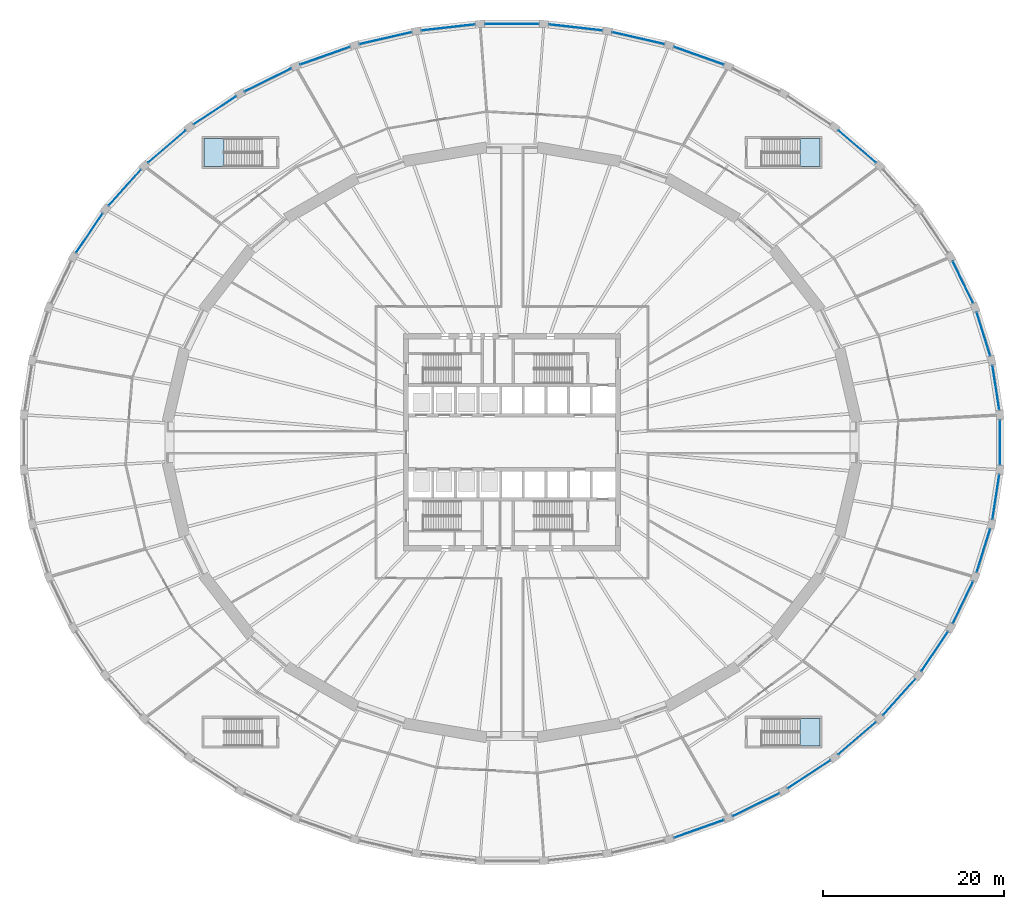
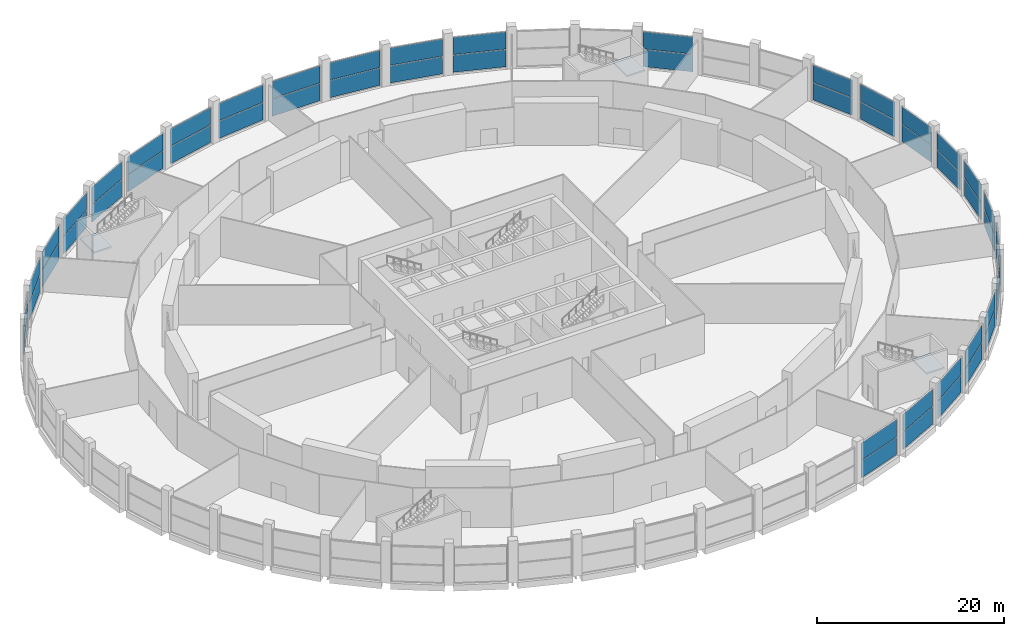
# One storey, part 18 of 29: 52 plates, 3 slabs, 29 elements without a shape of their own.
"""IFC4 building model written with IfcOpenShell, lengths in metres."""

from ifc_helpers import new_model, si_unit, direction, frame, origin, origin_2d, place, context, subcontext, project, spatial, polyline, rectangle, outline, extrude, material, layer, layer_set, type_object, element, aggregate, save


model = new_model("IFC4")

# Units and contexts
model_context = context("Model", 3, precision=1e-05, world=origin(), true_north=direction((0.0, 1.0)))
body_context = subcontext(model_context, "Body", "Model", "MODEL_VIEW")
ifc_project = project(units=[si_unit("LENGTHUNIT", "METRE"), si_unit("AREAUNIT", "SQUARE_METRE"), si_unit("VOLUMEUNIT", "CUBIC_METRE"), si_unit("PLANEANGLEUNIT", "RADIAN"), si_unit("MASSUNIT", "GRAM", prefix="KILO")], contexts=[model_context])

# Site, building, storey
site_placement = place(None, origin())
site = spatial("IfcSite", under=ifc_project, at=site_placement, CompositionType="ELEMENT")
building_placement = place(site_placement, origin())
building = spatial("IfcBuilding", under=site, at=building_placement, Name="Halqa Exchange Tower", CompositionType="ELEMENT")
storey_placement = place(building_placement, frame((0.0, 0.0, 12.5)))
storey = spatial("IfcBuildingStorey", under=building, at=storey_placement, Name="L02", CompositionType="ELEMENT", Elevation=12.5)

# Curtain wall, plates
ifc_material_1 = material(Name="Anodised aluminium and clear glass", Category="aluminium")
curtain_wall_type = type_object("IfcCurtainWallType", Name="Exchange hall glazing", PredefinedType="NOTDEFINED", material=ifc_material_1)
curtain_wall_1_placement = place(storey_placement, origin())
curtain_wall_1 = element("IfcCurtainWall", 1, at=curtain_wall_1_placement, inside=storey, type_object=curtain_wall_type, Name="Exchange hall glazing run P1", PredefinedType="NOTDEFINED")
ifc_material_2 = material(Name="Clear glass", Category="glass")
ifc_layer_1 = layer(ifc_material_2, 0.035888671875)
ifc_layer_set_1 = layer_set([ifc_layer_1], Name="Clear glass")
plate_type = type_object("IfcPlateType", Name="Laminated clear glass panel 36", PredefinedType="CURTAIN_PANEL", material=ifc_layer_set_1)
plate_1_placement = place(storey_placement, frame((53.42333984375, 6.030517578125, 0.06982421875), z_axis=(0.0, 0.0, 1.0), x_axis=(-0.151766957898, 0.988416304241, 0.0)))
plate_1 = element("IfcPlate", 2, at=plate_1_placement, type_object=plate_type, Name="P1 panel 1.1", PredefinedType="CURTAIN_PANEL", context=body_context, shape_type="SweptSolid", body=[
    extrude(rectangle(XDim=4.934814453125, YDim=0.035888671875, at=origin_2d()), origin(), (0.0, 0.0, 1.0), 2.2451171875),
])
plate_2_placement = place(storey_placement, frame((53.42333984375, 6.030517578125, 2.385009765625), z_axis=(0.0, 0.0, 1.0), x_axis=(-0.151766957898, 0.988416304241, 0.0)))
plate_2 = element("IfcPlate", 3, at=plate_2_placement, type_object=plate_type, Name="P1 panel 1.2", PredefinedType="CURTAIN_PANEL", context=body_context, shape_type="SweptSolid", body=[
    extrude(rectangle(XDim=4.934814453125, YDim=0.035888671875, at=origin_2d()), origin(), (0.0, 0.0, 1.0), 2.2451171875),
])
aggregate(curtain_wall_1, [plate_1, plate_2])

curtain_wall_2_placement = place(storey_placement, origin())
curtain_wall_2 = element("IfcCurtainWall", 4, at=curtain_wall_2_placement, inside=storey, type_object=curtain_wall_type, Name="Exchange hall glazing run P2", PredefinedType="NOTDEFINED")
plate_3_placement = place(storey_placement, frame((52.04833984375, 11.957763671875, 0.06982421875), z_axis=(0.0, 0.0, 1.0), x_axis=(-0.298302746613, 0.95447130463, 0.0)))
plate_3 = element("IfcPlate", 5, at=plate_3_placement, type_object=plate_type, Name="P2 panel 1.1", PredefinedType="CURTAIN_PANEL", context=body_context, shape_type="SweptSolid", body=[
    extrude(rectangle(XDim=4.989013671875, YDim=0.035888671875, at=origin_2d()), origin(), (0.0, 0.0, 1.0), 2.2451171875),
])
plate_4_placement = place(storey_placement, frame((52.04833984375, 11.957763671875, 2.385009765625), z_axis=(0.0, 0.0, 1.0), x_axis=(-0.298302746613, 0.95447130463, 0.0)))
plate_4 = element("IfcPlate", 6, at=plate_4_placement, type_object=plate_type, Name="P2 panel 1.2", PredefinedType="CURTAIN_PANEL", context=body_context, shape_type="SweptSolid", body=[
    extrude(rectangle(XDim=4.989013671875, YDim=0.035888671875, at=origin_2d()), origin(), (0.0, 0.0, 1.0), 2.2451171875),
])
aggregate(curtain_wall_2, [plate_3, plate_4])

curtain_wall_3_placement = place(storey_placement, origin())
curtain_wall_3 = element("IfcCurtainWall", 7, at=curtain_wall_3_placement, inside=storey, type_object=curtain_wall_type, Name="Exchange hall glazing run P3", PredefinedType="NOTDEFINED")
plate_5_placement = place(storey_placement, frame((49.78271484375, 17.680419921875, 0.06982421875), z_axis=(0.0, 0.0, 1.0), x_axis=(-0.434989864727, 0.90043534892, 0.0)))
plate_5 = element("IfcPlate", 8, at=plate_5_placement, type_object=plate_type, Name="P3 panel 1.1", PredefinedType="CURTAIN_PANEL", context=body_context, shape_type="SweptSolid", body=[
    extrude(rectangle(XDim=5.07421875, YDim=0.035888671875, at=origin_2d()), origin(), (0.0, 0.0, 1.0), 2.2451171875),
])
plate_6_placement = place(storey_placement, frame((49.78271484375, 17.680419921875, 2.385009765625), z_axis=(0.0, 0.0, 1.0), x_axis=(-0.434989864727, 0.90043534892, 0.0)))
plate_6 = element("IfcPlate", 9, at=plate_6_placement, type_object=plate_type, Name="P3 panel 1.2", PredefinedType="CURTAIN_PANEL", context=body_context, shape_type="SweptSolid", body=[
    extrude(rectangle(XDim=5.07421875, YDim=0.035888671875, at=origin_2d()), origin(), (0.0, 0.0, 1.0), 2.2451171875),
])
aggregate(curtain_wall_3, [plate_5, plate_6])

curtain_wall_4_placement = place(storey_placement, origin())
curtain_wall_4 = element("IfcCurtainWall", 10, at=curtain_wall_4_placement, inside=storey, type_object=curtain_wall_type, Name="Exchange hall glazing run P6", PredefinedType="NOTDEFINED")
plate_7_placement = place(storey_placement, frame((38.10205078125, 32.6689453125, 0.06982421875), z_axis=(0.0, 0.0, 1.0), x_axis=(-0.759154109704, 0.650910929175, 0.0)))
plate_7 = element("IfcPlate", 11, at=plate_7_placement, type_object=plate_type, Name="P6 panel 1.1", PredefinedType="CURTAIN_PANEL", context=body_context, shape_type="SweptSolid", body=[
    extrude(rectangle(XDim=5.439208984375, YDim=0.035888671875, at=origin_2d()), origin(), (0.0, 0.0, 1.0), 2.2451171875),
])
plate_8_placement = place(storey_placement, frame((38.10205078125, 32.6689453125, 2.385009765625), z_axis=(0.0, 0.0, 1.0), x_axis=(-0.759154109704, 0.650910929175, 0.0)))
plate_8 = element("IfcPlate", 12, at=plate_8_placement, type_object=plate_type, Name="P6 panel 1.2", PredefinedType="CURTAIN_PANEL", context=body_context, shape_type="SweptSolid", body=[
    extrude(rectangle(XDim=5.439208984375, YDim=0.035888671875, at=origin_2d()), origin(), (0.0, 0.0, 1.0), 2.2451171875),
])
aggregate(curtain_wall_4, [plate_7, plate_8])

curtain_wall_5_placement = place(storey_placement, origin())
curtain_wall_5 = element("IfcCurtainWall", 13, at=curtain_wall_5_placement, inside=storey, type_object=curtain_wall_type, Name="Exchange hall glazing run P9", PredefinedType="NOTDEFINED")
plate_9_placement = place(storey_placement, frame((20.62060546875, 42.68408203125, 0.06982421875), z_axis=(0.0, 0.0, 1.0), x_axis=(-0.942328875444, 0.334688348326, 0.0)))
plate_9 = element("IfcPlate", 14, at=plate_9_placement, type_object=plate_type, Name="P9 panel 1.1", PredefinedType="CURTAIN_PANEL", context=body_context, shape_type="SweptSolid", body=[
    extrude(rectangle(XDim=5.78515625, YDim=0.035888671875, at=origin_2d()), origin(), (0.0, 0.0, 1.0), 2.2451171875),
])
plate_10_placement = place(storey_placement, frame((20.62060546875, 42.68408203125, 2.385009765625), z_axis=(0.0, 0.0, 1.0), x_axis=(-0.942328875444, 0.334688348326, 0.0)))
plate_10 = element("IfcPlate", 15, at=plate_10_placement, type_object=plate_type, Name="P9 panel 1.2", PredefinedType="CURTAIN_PANEL", context=body_context, shape_type="SweptSolid", body=[
    extrude(rectangle(XDim=5.78515625, YDim=0.035888671875, at=origin_2d()), origin(), (0.0, 0.0, 1.0), 2.2451171875),
])
aggregate(curtain_wall_5, [plate_9, plate_10])

curtain_wall_6_placement = place(storey_placement, origin())
curtain_wall_6 = element("IfcCurtainWall", 16, at=curtain_wall_6_placement, inside=storey, type_object=curtain_wall_type, Name="Exchange hall glazing run P10", PredefinedType="NOTDEFINED")
plate_11_placement = place(storey_placement, frame((13.9462890625, 44.626708984375, 0.06982421875), z_axis=(0.0, 0.0, 1.0), x_axis=(-0.974612891234, 0.223896655269, 0.0)))
plate_11 = element("IfcPlate", 17, at=plate_11_placement, type_object=plate_type, Name="P10 panel 1.1", PredefinedType="CURTAIN_PANEL", context=body_context, shape_type="SweptSolid", body=[
    extrude(rectangle(XDim=5.860595703125, YDim=0.035888671875, at=origin_2d()), origin(), (0.0, 0.0, 1.0), 2.2451171875),
])
plate_12_placement = place(storey_placement, frame((13.9462890625, 44.626708984375, 2.385009765625), z_axis=(0.0, 0.0, 1.0), x_axis=(-0.974612891234, 0.223896655269, 0.0)))
plate_12 = element("IfcPlate", 18, at=plate_12_placement, type_object=plate_type, Name="P10 panel 1.2", PredefinedType="CURTAIN_PANEL", context=body_context, shape_type="SweptSolid", body=[
    extrude(rectangle(XDim=5.860595703125, YDim=0.035888671875, at=origin_2d()), origin(), (0.0, 0.0, 1.0), 2.2451171875),
])
aggregate(curtain_wall_6, [plate_11, plate_12])

curtain_wall_7_placement = place(storey_placement, origin())
curtain_wall_7 = element("IfcCurtainWall", 19, at=curtain_wall_7_placement, inside=storey, type_object=curtain_wall_type, Name="Exchange hall glazing run P11", PredefinedType="NOTDEFINED")
plate_13_placement = place(storey_placement, frame((7.033447265625, 45.8056640625, 0.06982421875), z_axis=(0.0, 0.0, 1.0), x_axis=(-0.993690261872, 0.112159098874, 0.0)))
plate_13 = element("IfcPlate", 20, at=plate_13_placement, type_object=plate_type, Name="P11 panel 1.1", PredefinedType="CURTAIN_PANEL", context=body_context, shape_type="SweptSolid", body=[
    extrude(rectangle(XDim=5.90771484375, YDim=0.035888671875, at=origin_2d()), origin(), (0.0, 0.0, 1.0), 2.2451171875),
])
plate_14_placement = place(storey_placement, frame((7.033447265625, 45.8056640625, 2.385009765625), z_axis=(0.0, 0.0, 1.0), x_axis=(-0.993690261872, 0.112159098874, 0.0)))
plate_14 = element("IfcPlate", 21, at=plate_14_placement, type_object=plate_type, Name="P11 panel 1.2", PredefinedType="CURTAIN_PANEL", context=body_context, shape_type="SweptSolid", body=[
    extrude(rectangle(XDim=5.90771484375, YDim=0.035888671875, at=origin_2d()), origin(), (0.0, 0.0, 1.0), 2.2451171875),
])
aggregate(curtain_wall_7, [plate_13, plate_14])

curtain_wall_8_placement = place(storey_placement, origin())
curtain_wall_8 = element("IfcCurtainWall", 22, at=curtain_wall_8_placement, inside=storey, type_object=curtain_wall_type, Name="Exchange hall glazing run P12", PredefinedType="NOTDEFINED")
plate_15_placement = place(storey_placement, frame((0.0, 46.200927734375, 0.06982421875), z_axis=(0.0, 0.0, 1.0), x_axis=(-1.0, 0.0, 0.0)))
plate_15 = element("IfcPlate", 23, at=plate_15_placement, type_object=plate_type, Name="P12 panel 1.1", PredefinedType="CURTAIN_PANEL", context=body_context, shape_type="SweptSolid", body=[
    extrude(rectangle(XDim=5.923583984375, YDim=0.035888671875, at=origin_2d()), origin(), (0.0, 0.0, 1.0), 2.2451171875),
])
plate_16_placement = place(storey_placement, frame((0.0, 46.200927734375, 2.385009765625), z_axis=(0.0, 0.0, 1.0), x_axis=(-1.0, 0.0, 0.0)))
plate_16 = element("IfcPlate", 24, at=plate_16_placement, type_object=plate_type, Name="P12 panel 1.2", PredefinedType="CURTAIN_PANEL", context=body_context, shape_type="SweptSolid", body=[
    extrude(rectangle(XDim=5.923583984375, YDim=0.035888671875, at=origin_2d()), origin(), (0.0, 0.0, 1.0), 2.2451171875),
])
aggregate(curtain_wall_8, [plate_15, plate_16])

curtain_wall_9_placement = place(storey_placement, origin())
curtain_wall_9 = element("IfcCurtainWall", 25, at=curtain_wall_9_placement, inside=storey, type_object=curtain_wall_type, Name="Exchange hall glazing run P13", PredefinedType="NOTDEFINED")
plate_17_placement = place(storey_placement, frame((-7.033447265625, 45.8056640625, 0.06982421875), z_axis=(0.0, 0.0, 1.0), x_axis=(-0.993690261872, -0.112159098874, 0.0)))
plate_17 = element("IfcPlate", 26, at=plate_17_placement, type_object=plate_type, Name="P13 panel 1.1", PredefinedType="CURTAIN_PANEL", context=body_context, shape_type="SweptSolid", body=[
    extrude(rectangle(XDim=5.90771484375, YDim=0.035888671875, at=origin_2d()), origin(), (0.0, 0.0, 1.0), 2.2451171875),
])
plate_18_placement = place(storey_placement, frame((-7.033447265625, 45.8056640625, 2.385009765625), z_axis=(0.0, 0.0, 1.0), x_axis=(-0.993690261872, -0.112159098874, 0.0)))
plate_18 = element("IfcPlate", 27, at=plate_18_placement, type_object=plate_type, Name="P13 panel 1.2", PredefinedType="CURTAIN_PANEL", context=body_context, shape_type="SweptSolid", body=[
    extrude(rectangle(XDim=5.90771484375, YDim=0.035888671875, at=origin_2d()), origin(), (0.0, 0.0, 1.0), 2.2451171875),
])
aggregate(curtain_wall_9, [plate_17, plate_18])

curtain_wall_10_placement = place(storey_placement, origin())
curtain_wall_10 = element("IfcCurtainWall", 28, at=curtain_wall_10_placement, inside=storey, type_object=curtain_wall_type, Name="Exchange hall glazing run P14", PredefinedType="NOTDEFINED")
plate_19_placement = place(storey_placement, frame((-13.9462890625, 44.626708984375, 0.06982421875), z_axis=(0.0, 0.0, 1.0), x_axis=(-0.974612891234, -0.223896655269, 0.0)))
plate_19 = element("IfcPlate", 29, at=plate_19_placement, type_object=plate_type, Name="P14 panel 1.1", PredefinedType="CURTAIN_PANEL", context=body_context, shape_type="SweptSolid", body=[
    extrude(rectangle(XDim=5.860595703125, YDim=0.035888671875, at=origin_2d()), origin(), (0.0, 0.0, 1.0), 2.2451171875),
])
plate_20_placement = place(storey_placement, frame((-13.9462890625, 44.626708984375, 2.385009765625), z_axis=(0.0, 0.0, 1.0), x_axis=(-0.974612891234, -0.223896655269, 0.0)))
plate_20 = element("IfcPlate", 30, at=plate_20_placement, type_object=plate_type, Name="P14 panel 1.2", PredefinedType="CURTAIN_PANEL", context=body_context, shape_type="SweptSolid", body=[
    extrude(rectangle(XDim=5.860595703125, YDim=0.035888671875, at=origin_2d()), origin(), (0.0, 0.0, 1.0), 2.2451171875),
])
aggregate(curtain_wall_10, [plate_19, plate_20])

curtain_wall_11_placement = place(storey_placement, origin())
curtain_wall_11 = element("IfcCurtainWall", 31, at=curtain_wall_11_placement, inside=storey, type_object=curtain_wall_type, Name="Exchange hall glazing run P15", PredefinedType="NOTDEFINED")
plate_21_placement = place(storey_placement, frame((-20.62060546875, 42.68408203125, 0.06982421875), z_axis=(0.0, 0.0, 1.0), x_axis=(-0.942328875444, -0.334688348326, 0.0)))
plate_21 = element("IfcPlate", 32, at=plate_21_placement, type_object=plate_type, Name="P15 panel 1.1", PredefinedType="CURTAIN_PANEL", context=body_context, shape_type="SweptSolid", body=[
    extrude(rectangle(XDim=5.78515625, YDim=0.035888671875, at=origin_2d()), origin(), (0.0, 0.0, 1.0), 2.2451171875),
])
plate_22_placement = place(storey_placement, frame((-20.62060546875, 42.68408203125, 2.385009765625), z_axis=(0.0, 0.0, 1.0), x_axis=(-0.942328875444, -0.334688348326, 0.0)))
plate_22 = element("IfcPlate", 33, at=plate_22_placement, type_object=plate_type, Name="P15 panel 1.2", PredefinedType="CURTAIN_PANEL", context=body_context, shape_type="SweptSolid", body=[
    extrude(rectangle(XDim=5.78515625, YDim=0.035888671875, at=origin_2d()), origin(), (0.0, 0.0, 1.0), 2.2451171875),
])
aggregate(curtain_wall_11, [plate_21, plate_22])

curtain_wall_12_placement = place(storey_placement, origin())
curtain_wall_12 = element("IfcCurtainWall", 34, at=curtain_wall_12_placement, inside=storey, type_object=curtain_wall_type, Name="Exchange hall glazing run P16", PredefinedType="NOTDEFINED")
plate_23_placement = place(storey_placement, frame((-26.942138671875, 40.010986328125, 0.06982421875), z_axis=(0.0, 0.0, 1.0), x_axis=(-0.896198440934, -0.443653417058, 0.0)))
plate_23 = element("IfcPlate", 35, at=plate_23_placement, type_object=plate_type, Name="P16 panel 1.1", PredefinedType="CURTAIN_PANEL", context=body_context, shape_type="SweptSolid", body=[
    extrude(rectangle(XDim=5.685791015625, YDim=0.035888671875, at=origin_2d()), origin(), (0.0, 0.0, 1.0), 2.2451171875),
])
plate_24_placement = place(storey_placement, frame((-26.942138671875, 40.010986328125, 2.385009765625), z_axis=(0.0, 0.0, 1.0), x_axis=(-0.896198440934, -0.443653417058, 0.0)))
plate_24 = element("IfcPlate", 36, at=plate_24_placement, type_object=plate_type, Name="P16 panel 1.2", PredefinedType="CURTAIN_PANEL", context=body_context, shape_type="SweptSolid", body=[
    extrude(rectangle(XDim=5.685791015625, YDim=0.035888671875, at=origin_2d()), origin(), (0.0, 0.0, 1.0), 2.2451171875),
])
aggregate(curtain_wall_12, [plate_23, plate_24])

curtain_wall_13_placement = place(storey_placement, origin())
curtain_wall_13 = element("IfcCurtainWall", 37, at=curtain_wall_13_placement, inside=storey, type_object=curtain_wall_type, Name="Exchange hall glazing run P17", PredefinedType="NOTDEFINED")
plate_25_placement = place(storey_placement, frame((-32.802734375, 36.653564453125, 0.06982421875), z_axis=(0.0, 0.0, 1.0), x_axis=(-0.835414753652, -0.549620040919, 0.0)))
plate_25 = element("IfcPlate", 38, at=plate_25_placement, type_object=plate_type, Name="P17 panel 1.1", PredefinedType="CURTAIN_PANEL", context=body_context, shape_type="SweptSolid", body=[
    extrude(rectangle(XDim=5.56787109375, YDim=0.035888671875, at=origin_2d()), origin(), (0.0, 0.0, 1.0), 2.2451171875),
])
plate_26_placement = place(storey_placement, frame((-32.802734375, 36.653564453125, 2.385009765625), z_axis=(0.0, 0.0, 1.0), x_axis=(-0.835414753652, -0.549620040919, 0.0)))
plate_26 = element("IfcPlate", 39, at=plate_26_placement, type_object=plate_type, Name="P17 panel 1.2", PredefinedType="CURTAIN_PANEL", context=body_context, shape_type="SweptSolid", body=[
    extrude(rectangle(XDim=5.56787109375, YDim=0.035888671875, at=origin_2d()), origin(), (0.0, 0.0, 1.0), 2.2451171875),
])
aggregate(curtain_wall_13, [plate_25, plate_26])

curtain_wall_14_placement = place(storey_placement, origin())
curtain_wall_14 = element("IfcCurtainWall", 40, at=curtain_wall_14_placement, inside=storey, type_object=curtain_wall_type, Name="Exchange hall glazing run P18", PredefinedType="NOTDEFINED")
plate_27_placement = place(storey_placement, frame((-38.10205078125, 32.6689453125, 0.06982421875), z_axis=(0.0, 0.0, 1.0), x_axis=(-0.759154109704, -0.650910929175, 0.0)))
plate_27 = element("IfcPlate", 41, at=plate_27_placement, type_object=plate_type, Name="P18 panel 1.1", PredefinedType="CURTAIN_PANEL", context=body_context, shape_type="SweptSolid", body=[
    extrude(rectangle(XDim=5.439208984375, YDim=0.035888671875, at=origin_2d()), origin(), (0.0, 0.0, 1.0), 2.2451171875),
])
plate_28_placement = place(storey_placement, frame((-38.10205078125, 32.6689453125, 2.385009765625), z_axis=(0.0, 0.0, 1.0), x_axis=(-0.759154109704, -0.650910929175, 0.0)))
plate_28 = element("IfcPlate", 42, at=plate_28_placement, type_object=plate_type, Name="P18 panel 1.2", PredefinedType="CURTAIN_PANEL", context=body_context, shape_type="SweptSolid", body=[
    extrude(rectangle(XDim=5.439208984375, YDim=0.035888671875, at=origin_2d()), origin(), (0.0, 0.0, 1.0), 2.2451171875),
])
aggregate(curtain_wall_14, [plate_27, plate_28])

curtain_wall_15_placement = place(storey_placement, origin())
curtain_wall_15 = element("IfcCurtainWall", 43, at=curtain_wall_15_placement, inside=storey, type_object=curtain_wall_type, Name="Exchange hall glazing run P19", PredefinedType="NOTDEFINED")
plate_29_placement = place(storey_placement, frame((-42.749267578125, 28.125244140625, 0.06982421875), z_axis=(0.0, 0.0, 1.0), x_axis=(-0.666899477539, -0.74514769466, 0.0)))
plate_29 = element("IfcPlate", 44, at=plate_29_placement, type_object=plate_type, Name="P19 panel 1.1", PredefinedType="CURTAIN_PANEL", context=body_context, shape_type="SweptSolid", body=[
    extrude(rectangle(XDim=5.30810546875, YDim=0.035888671875, at=origin_2d()), origin(), (0.0, 0.0, 1.0), 2.2451171875),
])
plate_30_placement = place(storey_placement, frame((-42.749267578125, 28.125244140625, 2.385009765625), z_axis=(0.0, 0.0, 1.0), x_axis=(-0.666899477539, -0.74514769466, 0.0)))
plate_30 = element("IfcPlate", 45, at=plate_30_placement, type_object=plate_type, Name="P19 panel 1.2", PredefinedType="CURTAIN_PANEL", context=body_context, shape_type="SweptSolid", body=[
    extrude(rectangle(XDim=5.30810546875, YDim=0.035888671875, at=origin_2d()), origin(), (0.0, 0.0, 1.0), 2.2451171875),
])
aggregate(curtain_wall_15, [plate_29, plate_30])

curtain_wall_16_placement = place(storey_placement, origin())
curtain_wall_16 = element("IfcCurtainWall", 46, at=curtain_wall_16_placement, inside=storey, type_object=curtain_wall_type, Name="Exchange hall glazing run P20", PredefinedType="NOTDEFINED")
plate_31_placement = place(storey_placement, frame((-46.665283203125, 23.100341796875, 0.06982421875), z_axis=(0.0, 0.0, 1.0), x_axis=(-0.55852230535, -0.8294895023, 0.0)))
plate_31 = element("IfcPlate", 47, at=plate_31_placement, type_object=plate_type, Name="P20 panel 1.1", PredefinedType="CURTAIN_PANEL", context=body_context, shape_type="SweptSolid", body=[
    extrude(rectangle(XDim=5.18310546875, YDim=0.035888671875, at=origin_2d()), origin(), (0.0, 0.0, 1.0), 2.2451171875),
])
plate_32_placement = place(storey_placement, frame((-46.665283203125, 23.100341796875, 2.385009765625), z_axis=(0.0, 0.0, 1.0), x_axis=(-0.55852230535, -0.8294895023, 0.0)))
plate_32 = element("IfcPlate", 48, at=plate_32_placement, type_object=plate_type, Name="P20 panel 1.2", PredefinedType="CURTAIN_PANEL", context=body_context, shape_type="SweptSolid", body=[
    extrude(rectangle(XDim=5.18310546875, YDim=0.035888671875, at=origin_2d()), origin(), (0.0, 0.0, 1.0), 2.2451171875),
])
aggregate(curtain_wall_16, [plate_31, plate_32])

curtain_wall_17_placement = place(storey_placement, origin())
curtain_wall_17 = element("IfcCurtainWall", 49, at=curtain_wall_17_placement, inside=storey, type_object=curtain_wall_type, Name="Exchange hall glazing run P39", PredefinedType="NOTDEFINED")
plate_33_placement = place(storey_placement, frame((20.62060546875, -42.68408203125, 0.06982421875), z_axis=(0.0, 0.0, 1.0), x_axis=(0.942328875444, 0.334688348326, 0.0)))
plate_33 = element("IfcPlate", 50, at=plate_33_placement, type_object=plate_type, Name="P39 panel 1.1", PredefinedType="CURTAIN_PANEL", context=body_context, shape_type="SweptSolid", body=[
    extrude(rectangle(XDim=5.78515625, YDim=0.035888671875, at=origin_2d()), origin(), (0.0, 0.0, 1.0), 2.2451171875),
])
plate_34_placement = place(storey_placement, frame((20.62060546875, -42.68408203125, 2.385009765625), z_axis=(0.0, 0.0, 1.0), x_axis=(0.942328875444, 0.334688348326, 0.0)))
plate_34 = element("IfcPlate", 51, at=plate_34_placement, type_object=plate_type, Name="P39 panel 1.2", PredefinedType="CURTAIN_PANEL", context=body_context, shape_type="SweptSolid", body=[
    extrude(rectangle(XDim=5.78515625, YDim=0.035888671875, at=origin_2d()), origin(), (0.0, 0.0, 1.0), 2.2451171875),
])
aggregate(curtain_wall_17, [plate_33, plate_34])

curtain_wall_18_placement = place(storey_placement, origin())
curtain_wall_18 = element("IfcCurtainWall", 52, at=curtain_wall_18_placement, inside=storey, type_object=curtain_wall_type, Name="Exchange hall glazing run P40", PredefinedType="NOTDEFINED")
plate_35_placement = place(storey_placement, frame((26.942138671875, -40.010986328125, 0.06982421875), z_axis=(0.0, 0.0, 1.0), x_axis=(0.896198440934, 0.443653417058, 0.0)))
plate_35 = element("IfcPlate", 53, at=plate_35_placement, type_object=plate_type, Name="P40 panel 1.1", PredefinedType="CURTAIN_PANEL", context=body_context, shape_type="SweptSolid", body=[
    extrude(rectangle(XDim=5.685791015625, YDim=0.035888671875, at=origin_2d()), origin(), (0.0, 0.0, 1.0), 2.2451171875),
])
plate_36_placement = place(storey_placement, frame((26.942138671875, -40.010986328125, 2.385009765625), z_axis=(0.0, 0.0, 1.0), x_axis=(0.896198440934, 0.443653417058, 0.0)))
plate_36 = element("IfcPlate", 54, at=plate_36_placement, type_object=plate_type, Name="P40 panel 1.2", PredefinedType="CURTAIN_PANEL", context=body_context, shape_type="SweptSolid", body=[
    extrude(rectangle(XDim=5.685791015625, YDim=0.035888671875, at=origin_2d()), origin(), (0.0, 0.0, 1.0), 2.2451171875),
])
aggregate(curtain_wall_18, [plate_35, plate_36])

curtain_wall_19_placement = place(storey_placement, origin())
curtain_wall_19 = element("IfcCurtainWall", 55, at=curtain_wall_19_placement, inside=storey, type_object=curtain_wall_type, Name="Exchange hall glazing run P41", PredefinedType="NOTDEFINED")
plate_37_placement = place(storey_placement, frame((32.802734375, -36.653564453125, 0.06982421875), z_axis=(0.0, 0.0, 1.0), x_axis=(0.835414753652, 0.549620040919, 0.0)))
plate_37 = element("IfcPlate", 56, at=plate_37_placement, type_object=plate_type, Name="P41 panel 1.1", PredefinedType="CURTAIN_PANEL", context=body_context, shape_type="SweptSolid", body=[
    extrude(rectangle(XDim=5.56787109375, YDim=0.035888671875, at=origin_2d()), origin(), (0.0, 0.0, 1.0), 2.2451171875),
])
plate_38_placement = place(storey_placement, frame((32.802734375, -36.653564453125, 2.385009765625), z_axis=(0.0, 0.0, 1.0), x_axis=(0.835414753652, 0.549620040919, 0.0)))
plate_38 = element("IfcPlate", 57, at=plate_38_placement, type_object=plate_type, Name="P41 panel 1.2", PredefinedType="CURTAIN_PANEL", context=body_context, shape_type="SweptSolid", body=[
    extrude(rectangle(XDim=5.56787109375, YDim=0.035888671875, at=origin_2d()), origin(), (0.0, 0.0, 1.0), 2.2451171875),
])
aggregate(curtain_wall_19, [plate_37, plate_38])

curtain_wall_20_placement = place(storey_placement, origin())
curtain_wall_20 = element("IfcCurtainWall", 58, at=curtain_wall_20_placement, inside=storey, type_object=curtain_wall_type, Name="Exchange hall glazing run P42", PredefinedType="NOTDEFINED")
plate_39_placement = place(storey_placement, frame((38.10205078125, -32.6689453125, 0.06982421875), z_axis=(0.0, 0.0, 1.0), x_axis=(0.759154109704, 0.650910929175, 0.0)))
plate_39 = element("IfcPlate", 59, at=plate_39_placement, type_object=plate_type, Name="P42 panel 1.1", PredefinedType="CURTAIN_PANEL", context=body_context, shape_type="SweptSolid", body=[
    extrude(rectangle(XDim=5.439208984375, YDim=0.035888671875, at=origin_2d()), origin(), (0.0, 0.0, 1.0), 2.2451171875),
])
plate_40_placement = place(storey_placement, frame((38.10205078125, -32.6689453125, 2.385009765625), z_axis=(0.0, 0.0, 1.0), x_axis=(0.759154109704, 0.650910929175, 0.0)))
plate_40 = element("IfcPlate", 60, at=plate_40_placement, type_object=plate_type, Name="P42 panel 1.2", PredefinedType="CURTAIN_PANEL", context=body_context, shape_type="SweptSolid", body=[
    extrude(rectangle(XDim=5.439208984375, YDim=0.035888671875, at=origin_2d()), origin(), (0.0, 0.0, 1.0), 2.2451171875),
])
aggregate(curtain_wall_20, [plate_39, plate_40])

curtain_wall_21_placement = place(storey_placement, origin())
curtain_wall_21 = element("IfcCurtainWall", 61, at=curtain_wall_21_placement, inside=storey, type_object=curtain_wall_type, Name="Exchange hall glazing run P43", PredefinedType="NOTDEFINED")
plate_41_placement = place(storey_placement, frame((42.749267578125, -28.125244140625, 0.06982421875), z_axis=(0.0, 0.0, 1.0), x_axis=(0.666899477539, 0.74514769466, 0.0)))
plate_41 = element("IfcPlate", 62, at=plate_41_placement, type_object=plate_type, Name="P43 panel 1.1", PredefinedType="CURTAIN_PANEL", context=body_context, shape_type="SweptSolid", body=[
    extrude(rectangle(XDim=5.30810546875, YDim=0.035888671875, at=origin_2d()), origin(), (0.0, 0.0, 1.0), 2.2451171875),
])
plate_42_placement = place(storey_placement, frame((42.749267578125, -28.125244140625, 2.385009765625), z_axis=(0.0, 0.0, 1.0), x_axis=(0.666899477539, 0.74514769466, 0.0)))
plate_42 = element("IfcPlate", 63, at=plate_42_placement, type_object=plate_type, Name="P43 panel 1.2", PredefinedType="CURTAIN_PANEL", context=body_context, shape_type="SweptSolid", body=[
    extrude(rectangle(XDim=5.30810546875, YDim=0.035888671875, at=origin_2d()), origin(), (0.0, 0.0, 1.0), 2.2451171875),
])
aggregate(curtain_wall_21, [plate_41, plate_42])

curtain_wall_22_placement = place(storey_placement, origin())
curtain_wall_22 = element("IfcCurtainWall", 64, at=curtain_wall_22_placement, inside=storey, type_object=curtain_wall_type, Name="Exchange hall glazing run P44", PredefinedType="NOTDEFINED")
plate_43_placement = place(storey_placement, frame((46.665283203125, -23.100341796875, 0.06982421875), z_axis=(0.0, 0.0, 1.0), x_axis=(0.55852230535, 0.8294895023, 0.0)))
plate_43 = element("IfcPlate", 65, at=plate_43_placement, type_object=plate_type, Name="P44 panel 1.1", PredefinedType="CURTAIN_PANEL", context=body_context, shape_type="SweptSolid", body=[
    extrude(rectangle(XDim=5.18310546875, YDim=0.035888671875, at=origin_2d()), origin(), (0.0, 0.0, 1.0), 2.2451171875),
])
plate_44_placement = place(storey_placement, frame((46.665283203125, -23.100341796875, 2.385009765625), z_axis=(0.0, 0.0, 1.0), x_axis=(0.55852230535, 0.8294895023, 0.0)))
plate_44 = element("IfcPlate", 66, at=plate_44_placement, type_object=plate_type, Name="P44 panel 1.2", PredefinedType="CURTAIN_PANEL", context=body_context, shape_type="SweptSolid", body=[
    extrude(rectangle(XDim=5.18310546875, YDim=0.035888671875, at=origin_2d()), origin(), (0.0, 0.0, 1.0), 2.2451171875),
])
aggregate(curtain_wall_22, [plate_43, plate_44])

curtain_wall_23_placement = place(storey_placement, origin())
curtain_wall_23 = element("IfcCurtainWall", 67, at=curtain_wall_23_placement, inside=storey, type_object=curtain_wall_type, Name="Exchange hall glazing run P45", PredefinedType="NOTDEFINED")
plate_45_placement = place(storey_placement, frame((49.78271484375, -17.680419921875, 0.06982421875), z_axis=(0.0, 0.0, 1.0), x_axis=(0.434989864727, 0.90043534892, 0.0)))
plate_45 = element("IfcPlate", 68, at=plate_45_placement, type_object=plate_type, Name="P45 panel 1.1", PredefinedType="CURTAIN_PANEL", context=body_context, shape_type="SweptSolid", body=[
    extrude(rectangle(XDim=5.07421875, YDim=0.035888671875, at=origin_2d()), origin(), (0.0, 0.0, 1.0), 2.2451171875),
])
plate_46_placement = place(storey_placement, frame((49.78271484375, -17.680419921875, 2.385009765625), z_axis=(0.0, 0.0, 1.0), x_axis=(0.434989864727, 0.90043534892, 0.0)))
plate_46 = element("IfcPlate", 69, at=plate_46_placement, type_object=plate_type, Name="P45 panel 1.2", PredefinedType="CURTAIN_PANEL", context=body_context, shape_type="SweptSolid", body=[
    extrude(rectangle(XDim=5.07421875, YDim=0.035888671875, at=origin_2d()), origin(), (0.0, 0.0, 1.0), 2.2451171875),
])
aggregate(curtain_wall_23, [plate_45, plate_46])

curtain_wall_24_placement = place(storey_placement, origin())
curtain_wall_24 = element("IfcCurtainWall", 70, at=curtain_wall_24_placement, inside=storey, type_object=curtain_wall_type, Name="Exchange hall glazing run P46", PredefinedType="NOTDEFINED")
plate_47_placement = place(storey_placement, frame((52.04833984375, -11.957763671875, 0.06982421875), z_axis=(0.0, 0.0, 1.0), x_axis=(0.298302746613, 0.95447130463, 0.0)))
plate_47 = element("IfcPlate", 71, at=plate_47_placement, type_object=plate_type, Name="P46 panel 1.1", PredefinedType="CURTAIN_PANEL", context=body_context, shape_type="SweptSolid", body=[
    extrude(rectangle(XDim=4.989013671875, YDim=0.035888671875, at=origin_2d()), origin(), (0.0, 0.0, 1.0), 2.2451171875),
])
plate_48_placement = place(storey_placement, frame((52.04833984375, -11.957763671875, 2.385009765625), z_axis=(0.0, 0.0, 1.0), x_axis=(0.298302746613, 0.95447130463, 0.0)))
plate_48 = element("IfcPlate", 72, at=plate_48_placement, type_object=plate_type, Name="P46 panel 1.2", PredefinedType="CURTAIN_PANEL", context=body_context, shape_type="SweptSolid", body=[
    extrude(rectangle(XDim=4.989013671875, YDim=0.035888671875, at=origin_2d()), origin(), (0.0, 0.0, 1.0), 2.2451171875),
])
aggregate(curtain_wall_24, [plate_47, plate_48])

curtain_wall_25_placement = place(storey_placement, origin())
curtain_wall_25 = element("IfcCurtainWall", 73, at=curtain_wall_25_placement, inside=storey, type_object=curtain_wall_type, Name="Exchange hall glazing run P47", PredefinedType="NOTDEFINED")
plate_49_placement = place(storey_placement, frame((53.42333984375, -6.030517578125, 0.06982421875), z_axis=(0.0, 0.0, 1.0), x_axis=(0.151766957898, 0.988416304241, 0.0)))
plate_49 = element("IfcPlate", 74, at=plate_49_placement, type_object=plate_type, Name="P47 panel 1.1", PredefinedType="CURTAIN_PANEL", context=body_context, shape_type="SweptSolid", body=[
    extrude(rectangle(XDim=4.934814453125, YDim=0.035888671875, at=origin_2d()), origin(), (0.0, 0.0, 1.0), 2.2451171875),
])
plate_50_placement = place(storey_placement, frame((53.42333984375, -6.030517578125, 2.385009765625), z_axis=(0.0, 0.0, 1.0), x_axis=(0.151766957898, 0.988416304241, 0.0)))
plate_50 = element("IfcPlate", 75, at=plate_50_placement, type_object=plate_type, Name="P47 panel 1.2", PredefinedType="CURTAIN_PANEL", context=body_context, shape_type="SweptSolid", body=[
    extrude(rectangle(XDim=4.934814453125, YDim=0.035888671875, at=origin_2d()), origin(), (0.0, 0.0, 1.0), 2.2451171875),
])
aggregate(curtain_wall_25, [plate_49, plate_50])

curtain_wall_26_placement = place(storey_placement, origin())
curtain_wall_26 = element("IfcCurtainWall", 76, at=curtain_wall_26_placement, inside=storey, type_object=curtain_wall_type, Name="Exchange hall glazing run P48", PredefinedType="NOTDEFINED")
plate_51_placement = place(storey_placement, frame((53.884521484375, 0.0, 0.06982421875), z_axis=(0.0, 0.0, 1.0), x_axis=(0.0, 1.0, 0.0)))
plate_51 = element("IfcPlate", 77, at=plate_51_placement, type_object=plate_type, Name="P48 panel 1.1", PredefinedType="CURTAIN_PANEL", context=body_context, shape_type="SweptSolid", body=[
    extrude(rectangle(XDim=4.91650390625, YDim=0.035888671875, at=origin_2d()), origin(), (0.0, 0.0, 1.0), 2.2451171875),
])
plate_52_placement = place(storey_placement, frame((53.884521484375, 0.0, 2.385009765625), z_axis=(0.0, 0.0, 1.0), x_axis=(0.0, 1.0, 0.0)))
plate_52 = element("IfcPlate", 78, at=plate_52_placement, type_object=plate_type, Name="P48 panel 1.2", PredefinedType="CURTAIN_PANEL", context=body_context, shape_type="SweptSolid", body=[
    extrude(rectangle(XDim=4.91650390625, YDim=0.035888671875, at=origin_2d()), origin(), (0.0, 0.0, 1.0), 2.2451171875),
])
aggregate(curtain_wall_26, [plate_51, plate_52])

# Stair, slab
ifc_material_3 = material(Name="Concrete C30/37", Category="concrete")
stair_type = type_object("IfcStairType", Name="Exit stair 1400 wide", PredefinedType="HALF_TURN_STAIR", material=ifc_material_3)
stair_1_placement = place(storey_placement, origin())
stair_1 = element("IfcStair", 79, at=stair_1_placement, inside=storey, type_object=stair_type, Name="Exit stair PS1", PredefinedType="HALF_TURN_STAIR")
ifc_layer_2 = layer(ifc_material_3, 0.199951171875)
ifc_layer_set_2 = layer_set([ifc_layer_2], Name="Concrete C30/37")
slab_type = type_object("IfcSlabType", Name="Stair landing 200 slab", PredefinedType="LANDING", material=ifc_layer_set_2)
slab_1_placement = place(storey_placement, frame((0.0, 0.0, 2.550048828125)))
slab_1 = element("IfcSlab", 80, at=slab_1_placement, type_object=slab_type, Name="PS1 landing 1", PredefinedType="LANDING", context=body_context, shape_type="SweptSolid", body=[
    extrude(outline(polyline([(31.800048828125, 30.47509765625), (34.0, 30.47509765625), (34.0, 33.52490234375), (31.800048828125, 33.52490234375), (31.800048828125, 30.47509765625)])), origin(), (0.0, 0.0, 1.0), 0.199951171875),
])
aggregate(stair_1, [slab_1])

stair_2_placement = place(storey_placement, origin())
stair_2 = element("IfcStair", 81, at=stair_2_placement, inside=storey, type_object=stair_type, Name="Exit stair PS2", PredefinedType="HALF_TURN_STAIR")
slab_2_placement = place(storey_placement, frame((0.0, 0.0, 2.550048828125)))
slab_2 = element("IfcSlab", 82, at=slab_2_placement, type_object=slab_type, Name="PS2 landing 1", PredefinedType="LANDING", context=body_context, shape_type="SweptSolid", body=[
    extrude(outline(polyline([(31.800048828125, -33.52490234375), (34.0, -33.52490234375), (34.0, -30.47509765625), (31.800048828125, -30.47509765625), (31.800048828125, -33.52490234375)])), origin(), (0.0, 0.0, 1.0), 0.199951171875),
])
aggregate(stair_2, [slab_2])

stair_3_placement = place(storey_placement, origin())
stair_3 = element("IfcStair", 83, at=stair_3_placement, inside=storey, type_object=stair_type, Name="Exit stair PS3", PredefinedType="HALF_TURN_STAIR")
slab_3_placement = place(storey_placement, frame((0.0, 0.0, 2.550048828125)))
slab_3 = element("IfcSlab", 84, at=slab_3_placement, type_object=slab_type, Name="PS3 landing 1", PredefinedType="LANDING", context=body_context, shape_type="SweptSolid", body=[
    extrude(outline(polyline([(-34.0, 30.47509765625), (-31.800048828125, 30.47509765625), (-31.800048828125, 33.52490234375), (-34.0, 33.52490234375), (-34.0, 30.47509765625)])), origin(), (0.0, 0.0, 1.0), 0.199951171875),
])
aggregate(stair_3, [slab_3])

save(model, "model.ifc")
